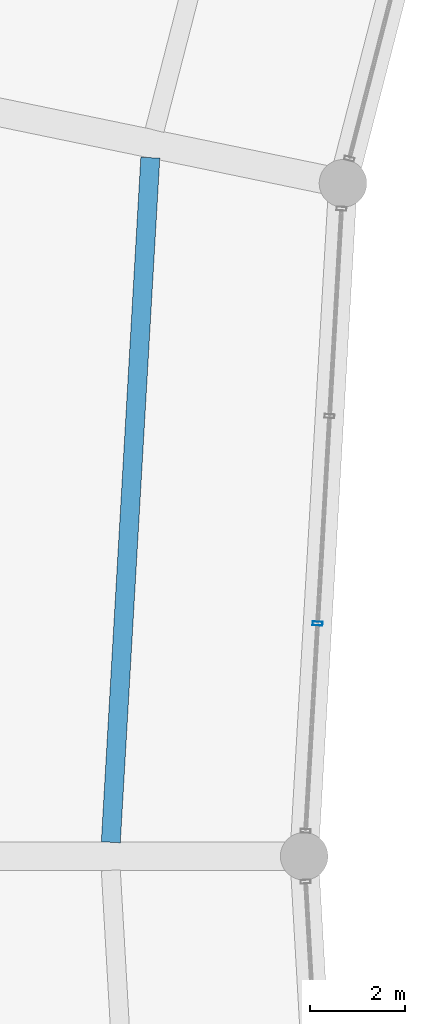
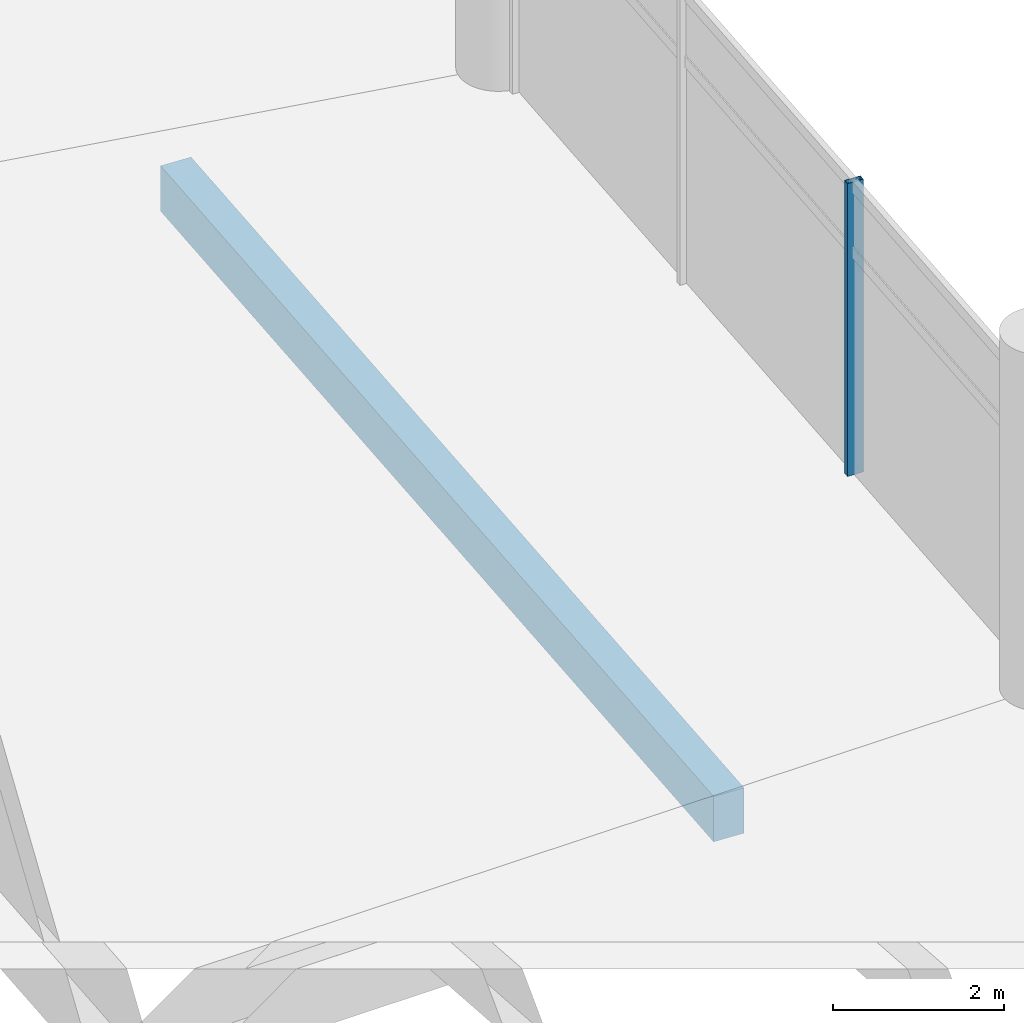
# One storey, part 42 of 184: 1 beam, 1 member, 1 element without a shape of its own.
"""IFC4 building model written with IfcOpenShell, lengths in metres."""

from ifc_helpers import new_model, si_unit, direction, frame, origin, origin_2d, place, context, subcontext, project, spatial, rectangle, hollow_rectangle, extrude, material, layer, layer_set, material_profile, profile_set, type_object, element, aggregate, save


model = new_model("IFC4")

# Units and contexts
model_context = context("Model", 3, precision=1e-05, world=origin(), true_north=direction((0.0, 1.0)))
body_context = subcontext(model_context, "Body", "Model", "MODEL_VIEW")
ifc_project = project(units=[si_unit("LENGTHUNIT", "METRE"), si_unit("AREAUNIT", "SQUARE_METRE"), si_unit("VOLUMEUNIT", "CUBIC_METRE"), si_unit("PLANEANGLEUNIT", "RADIAN"), si_unit("MASSUNIT", "GRAM", prefix="KILO")], contexts=[model_context])

# Site, building, storey
site_placement = place(None, origin())
site = spatial("IfcSite", under=ifc_project, at=site_placement, CompositionType="ELEMENT")
building_placement = place(site_placement, origin())
building = spatial("IfcBuilding", under=site, at=building_placement, Name="Kazemori Nagisa Stadium", CompositionType="ELEMENT")
storey_placement = place(building_placement, frame((0.0, 0.0, 10.5400390625)))
storey = spatial("IfcBuildingStorey", under=building, at=storey_placement, Name="L02", CompositionType="ELEMENT", Elevation=10.5400390625)

# Beam
ifc_material_1 = material(Name="Concrete C40/50 (Fc42)", Category="concrete")
ifc_material_profile_1 = material_profile(ifc_material_1, rectangle(XDim=0.39990234375, YDim=0.64990234375, at=origin_2d()), Name="RC-BM-400x650")
ifc_profile_set_1 = profile_set([ifc_material_profile_1], Name="Concrete C40/50 (Fc42)")
beam_type = type_object("IfcBeamType", Name="Beam_BJ-RC400X650", PredefinedType="JOIST", material=ifc_profile_set_1)
beam_placement = place(storey_placement, frame((50.4130859375, 116.699951171875, -0.5849609375), z_axis=(-0.057594265016, -0.998340072639, 0.0), x_axis=(0.998340072639, -0.057594265016, 0.0)))
element("IfcBeam", 1, at=beam_placement, inside=storey, type_object=beam_type, Name="Concourse joist BJ-RC400X650 L02 B14-1", PredefinedType="JOIST", context=body_context, shape_type="SweptSolid", body=[
    extrude(rectangle(XDim=0.39990234375, YDim=0.64990234375, at=origin_2d()), origin(), (0.0, 0.0, 1.0), 14.429443359375),
])

# Curtain wall, member
ifc_material_2 = material(Name="Anodised aluminium 6063-T5", Category="aluminium")
ifc_layer = layer(ifc_material_2, 0.2099609375, Name="Anodised aluminium 6063-T5", Category="aluminium")
ifc_layer_set = layer_set([ifc_layer], Name="Anodised aluminium 6063-T5")
curtain_wall_type = type_object("IfcCurtainWallType", Name="CW_L02B_66", PredefinedType="USERDEFINED", material=ifc_layer_set)
curtain_wall_placement = place(storey_placement, origin())
curtain_wall = element("IfcCurtainWall", 2, at=curtain_wall_placement, inside=storey, type_object=curtain_wall_type, Name="Unitised curtain wall CW-L02B-66 L02", ObjectType="UNITISED CURTAIN WALL", PredefinedType="USERDEFINED")
ifc_material_3 = material(Name="Aluminium 6063-T5 anodised", Category="aluminium")
ifc_material_profile_2 = material_profile(ifc_material_3, hollow_rectangle(XDim=0.080078125, YDim=0.2099609375, WallThickness=0.0048828125, at=origin_2d()), Name="ALU-MULL-80x210x5")
ifc_profile_set_2 = profile_set([ifc_material_profile_2], Name="Aluminium 6063-T5 anodised")
member_type = type_object("IfcMemberType", Name="Mullion_M02", PredefinedType="MULLION", material=ifc_profile_set_2)
member_placement = place(storey_placement, frame((53.9326171875, 106.898193359375, 0.0), z_axis=(0.0, 0.0, 1.0), x_axis=(-0.057601670941, -0.998339645364, 0.0)))
member = element("IfcMember", 3, at=member_placement, type_object=member_type, Name="Curtain wall mullion CW-L02B-66-M3", PredefinedType="MULLION", context=body_context, shape_type="SweptSolid", body=[
    extrude(hollow_rectangle(XDim=0.080078125, YDim=0.2099609375, WallThickness=0.0048828125, at=origin_2d()), origin(), (0.0, 0.0, 1.0), 4.18994140625),
])
aggregate(curtain_wall, [member])

save(model, "model.ifc")
